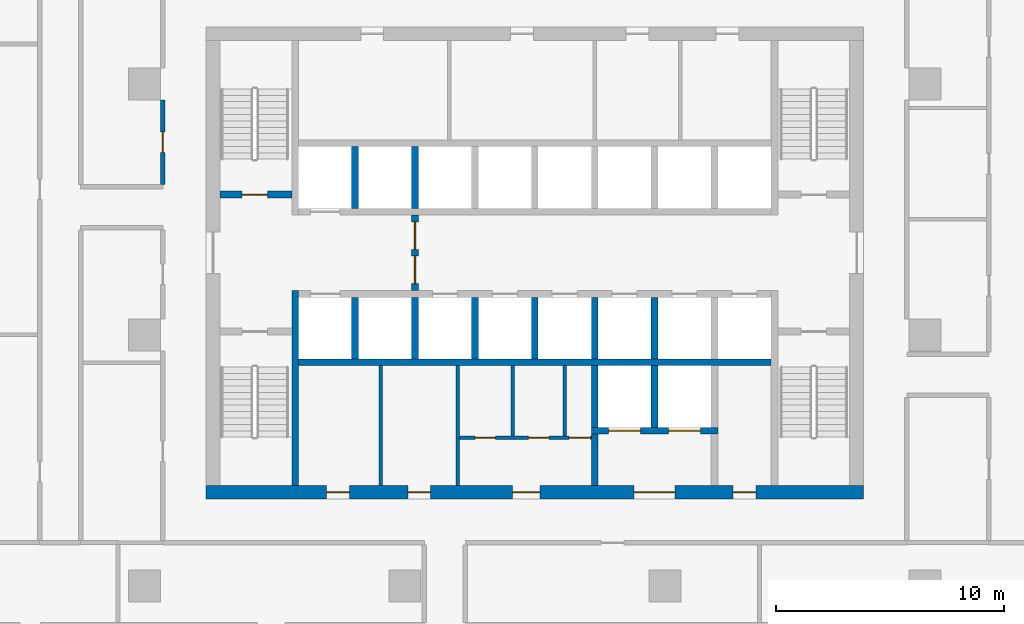
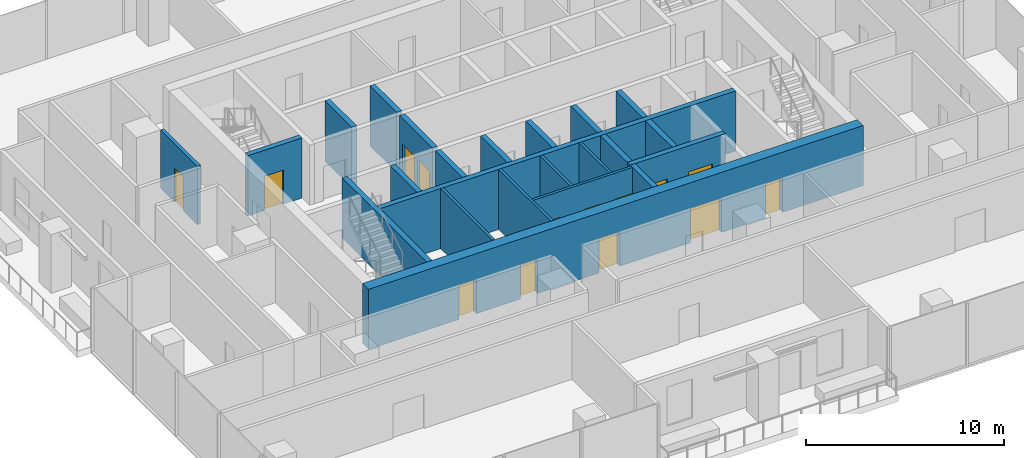
# One storey, part 8 of 15: 23 walls, 14 doors, 14 openings.
"""IFC4 building model written with IfcOpenShell, lengths in metres."""

from ifc_helpers import new_model, si_unit, direction, frame, frame_2d, origin, place, context, subcontext, project, spatial, rectangle, extrude, material, layer, layer_set, type_object, element, fill, save


model = new_model("IFC4")

# Units and contexts
model_context = context("Model", 3, precision=1e-05, world=origin(), true_north=direction((0.0, 1.0)))
body_context = subcontext(model_context, "Body", "Model", "MODEL_VIEW")
ifc_project = project(units=[si_unit("LENGTHUNIT", "METRE"), si_unit("AREAUNIT", "SQUARE_METRE"), si_unit("VOLUMEUNIT", "CUBIC_METRE"), si_unit("PLANEANGLEUNIT", "RADIAN"), si_unit("MASSUNIT", "GRAM", prefix="KILO")], contexts=[model_context])

# Site, building, storey
site_placement = place(None, origin())
site = spatial("IfcSite", under=ifc_project, at=site_placement, CompositionType="ELEMENT")
building_placement = place(site_placement, origin())
building = spatial("IfcBuilding", under=site, at=building_placement, Name="Mopane Tessera Tower", CompositionType="ELEMENT")
storey_placement = place(building_placement, frame((0.0, 0.0, 173.0)))
storey = spatial("IfcBuildingStorey", under=building, at=storey_placement, Name="L35", CompositionType="ELEMENT", Elevation=173.0)

# Walls
ifc_material_1 = material(Name="Fire-rated gypsum board partition")
ifc_layer_1 = layer(ifc_material_1, 0.14990234375)
ifc_layer_set_1 = layer_set([ifc_layer_1], Name="Fire-rated gypsum board partition")
wall_type_1 = type_object("IfcWallType", Name="Core room partition 150 mm", PredefinedType="PARTITIONING", material=ifc_layer_set_1)
for number, where, z_axis, x_axis, name in (
    (1, (-6.75, -6.60009765625, 0.0), (0.0, 0.0, 1.0), (0.0, 1.0, 0.0), "L35 Room partition"),
    (2, (-3.375, -6.60009765625, 0.0), (0.0, 0.0, 1.0), (0.0, 1.0, 0.0), "L35 Room partition"),
):
    element("IfcWall", number, at=place(storey_placement, frame(where, z_axis=z_axis, x_axis=x_axis)), inside=storey, type_object=wall_type_1, Name=name, PredefinedType="PARTITIONING", context=body_context, shape_type="SweptSolid", body=[
        extrude(rectangle(XDim=5.25, YDim=0.14990234375, at=frame_2d((2.625, 0.0))), origin(), (0.0, 0.0, 1.0), 3.699951171875),
    ])

# Wall, openings, doors
wall_1_placement = place(storey_placement, frame((-3.300048828125, -4.5, 0.0), z_axis=(0.0, 0.0, 1.0), x_axis=(1.0, 0.0, 0.0)))
wall_1 = element("IfcWall", 3, at=wall_1_placement, inside=storey, type_object=wall_type_1, Name="L35 WC partition", PredefinedType="PARTITIONING", context=body_context, shape_type="SweptSolid", body=[
    extrude(rectangle(XDim=5.775146484375, YDim=0.14990234375, at=frame_2d((2.8876953125, 0.0))), origin(), (0.0, 0.0, 1.0), 3.699951171875),
])
opening_1_placement = place(wall_1_placement, frame((0.675048828125, 0.0, 0.0)))
opening_1 = element("IfcOpeningElement", 4, at=opening_1_placement, cuts=wall_1, Name="Opening WD1", PredefinedType="OPENING", context=body_context, shape_type="SweptSolid", body=[
    extrude(rectangle(XDim=0.89990234375, YDim=2.10009765625, at=frame_2d((0.449951171875, 1.050048828125))), frame((0.0, 0.0869140625, 0.0), z_axis=(0.0, -1.0, 0.0), x_axis=(1.0, 0.0, 0.0)), (0.0, 0.0, 1.0), 0.173828125),
])
opening_2_placement = place(wall_1_placement, frame((3.014892578125, 0.0, 0.0)))
opening_2 = element("IfcOpeningElement", 5, at=opening_2_placement, cuts=wall_1, Name="Opening WD1", PredefinedType="OPENING", context=body_context, shape_type="SweptSolid", body=[
    extrude(rectangle(XDim=0.89990234375, YDim=2.10009765625, at=frame_2d((0.449951171875, 1.050048828125))), frame((0.0, 0.0869140625, 0.0), z_axis=(0.0, -1.0, 0.0), x_axis=(1.0, 0.0, 0.0)), (0.0, 0.0, 1.0), 0.173828125),
])
opening_3_placement = place(wall_1_placement, frame((4.7900390625, 0.0, 0.0)))
opening_3 = element("IfcOpeningElement", 6, at=opening_3_placement, cuts=wall_1, Name="Opening WD2", PredefinedType="OPENING", context=body_context, shape_type="SweptSolid", body=[
    extrude(rectangle(XDim=0.949951171875, YDim=2.10009765625, at=frame_2d((0.47509765625, 1.050048828125))), frame((0.0, 0.0869140625, 0.0), z_axis=(0.0, -1.0, 0.0), x_axis=(1.0, 0.0, 0.0)), (0.0, 0.0, 1.0), 0.173828125),
])
ifc_material_2 = material(Name="Timber door", Category="wood")
door_type_1 = type_object("IfcDoorType", Name="Accessible WC door 950 x 2100", OperationType="SINGLE_SWING_LEFT", PredefinedType="DOOR", material=ifc_material_2)
door_1_placement = place(opening_3_placement, origin())
door_1 = element("IfcDoor", 7, at=door_1_placement, inside=storey, type_object=door_type_1, Name="L35 Accessible WC door", OperationType="SINGLE_SWING_LEFT", OverallHeight=2.10009765625, OverallWidth=0.949951171875, PredefinedType="DOOR", context=body_context, shape_type="SweptSolid", body=[
    extrude(rectangle(XDim=0.949951171875, YDim=2.10009765625, at=frame_2d((0.47509765625, 1.050048828125))), frame((0.0, 0.02490234375, 0.0), z_axis=(0.0, -1.0, 0.0), x_axis=(1.0, 0.0, 0.0)), (0.0, 0.0, 1.0), 0.050048828125),
])
fill(opening_3, door_1)
ifc_material_3 = material(Name="Timber door", Category="wood")
door_type_2 = type_object("IfcDoorType", Name="WC cubicle door 900 x 2100", OperationType="SINGLE_SWING_LEFT", PredefinedType="DOOR", material=ifc_material_3)
door_2_placement = place(opening_1_placement, origin())
door_2 = element("IfcDoor", 8, at=door_2_placement, inside=storey, type_object=door_type_2, Name="L35 Men's WC door", OperationType="SINGLE_SWING_LEFT", OverallHeight=2.10009765625, OverallWidth=0.89990234375, PredefinedType="DOOR", context=body_context, shape_type="SweptSolid", body=[
    extrude(rectangle(XDim=0.89990234375, YDim=2.10009765625, at=frame_2d((0.449951171875, 1.050048828125))), frame((0.0, 0.02490234375, 0.0), z_axis=(0.0, -1.0, 0.0), x_axis=(1.0, 0.0, 0.0)), (0.0, 0.0, 1.0), 0.050048828125),
])
fill(opening_1, door_2)
door_3_placement = place(opening_2_placement, origin())
door_3 = element("IfcDoor", 9, at=door_3_placement, inside=storey, type_object=door_type_2, Name="L35 Women's WC door", OperationType="SINGLE_SWING_LEFT", OverallHeight=2.10009765625, OverallWidth=0.89990234375, PredefinedType="DOOR", context=body_context, shape_type="SweptSolid", body=[
    extrude(rectangle(XDim=0.89990234375, YDim=2.10009765625, at=frame_2d((0.449951171875, 1.050048828125))), frame((0.0, 0.02490234375, 0.0), z_axis=(0.0, -1.0, 0.0), x_axis=(1.0, 0.0, 0.0)), (0.0, 0.0, 1.0), 0.050048828125),
])
fill(opening_2, door_3)

# Walls
for number, where, z_axis, x_axis, name in (
    (10, (-0.97509765625, -4.425048828125, 0.0), (0.0, 0.0, 1.0), (0.0, 1.0, 0.0), "L35 WC partition"),
    (11, (1.304931640625, -4.425048828125, 0.0), (0.0, 0.0, 1.0), (0.0, 1.0, 0.0), "L35 WC partition"),
):
    element("IfcWall", number, at=place(storey_placement, frame(where, z_axis=z_axis, x_axis=x_axis)), inside=storey, type_object=wall_type_1, Name=name, PredefinedType="PARTITIONING", context=body_context, shape_type="SweptSolid", body=[
        extrude(rectangle(XDim=3.074951171875, YDim=0.14990234375, at=frame_2d((1.53759765625, 0.0))), origin(), (0.0, 0.0, 1.0), 3.699951171875),
    ])

# Wall, openings, doors
ifc_material_4 = material(Name="Concrete C70/85", Category="concrete")
ifc_layer_2 = layer(ifc_material_4, 0.60009765625)
ifc_layer_set_2 = layer_set([ifc_layer_2], Name="Concrete C70/85")
wall_type_2 = type_object("IfcWallType", Name="Core shear wall 600 mm", PredefinedType="SHEAR", material=ifc_layer_set_2)
wall_2_placement = place(storey_placement, frame((-14.39990234375, -6.89990234375, 0.0), z_axis=(0.0, 0.0, 1.0), x_axis=(1.0, 0.0, 0.0)))
wall_2 = element("IfcWall", 12, at=wall_2_placement, inside=storey, type_object=wall_type_2, Name="L35 Core wall south", PredefinedType="SHEAR", context=body_context, shape_type="SweptSolid", body=[
    extrude(rectangle(XDim=28.7998046875, YDim=0.60009765625, at=frame_2d((14.39990234375, 0.0))), origin(), (0.0, 0.0, 1.0), 3.699951171875),
])
opening_4_placement = place(wall_2_placement, frame((5.27490234375, 0.0, 0.0)))
opening_4 = element("IfcOpeningElement", 13, at=opening_4_placement, cuts=wall_2, Name="Opening RD1", PredefinedType="OPENING", context=body_context, shape_type="SweptSolid", body=[
    extrude(rectangle(XDim=1.0, YDim=2.10009765625, at=frame_2d((0.5, 1.050048828125))), frame((0.0, 0.31201171875, 0.0), z_axis=(0.0, -1.0, 0.0), x_axis=(1.0, 0.0, 0.0)), (0.0, 0.0, 1.0), 0.6240234375),
])
opening_5_placement = place(wall_2_placement, frame((8.83740234375, 0.0, 0.0)))
opening_5 = element("IfcOpeningElement", 14, at=opening_5_placement, cuts=wall_2, Name="Opening RD1", PredefinedType="OPENING", context=body_context, shape_type="SweptSolid", body=[
    extrude(rectangle(XDim=1.0, YDim=2.10009765625, at=frame_2d((0.5, 1.050048828125))), frame((0.0, 0.31201171875, 0.0), z_axis=(0.0, -1.0, 0.0), x_axis=(1.0, 0.0, 0.0)), (0.0, 0.0, 1.0), 0.6240234375),
])
opening_6_placement = place(wall_2_placement, frame((13.425048828125, 0.0, 0.0)))
opening_6 = element("IfcOpeningElement", 15, at=opening_6_placement, cuts=wall_2, Name="Opening WD3", PredefinedType="OPENING", context=body_context, shape_type="SweptSolid", body=[
    extrude(rectangle(XDim=1.199951171875, YDim=2.10009765625, at=frame_2d((0.60009765625, 1.050048828125))), frame((0.0, 0.31201171875, 0.0), z_axis=(0.0, -1.0, 0.0), x_axis=(1.0, 0.0, 0.0)), (0.0, 0.0, 1.0), 0.6240234375),
])
opening_7_placement = place(wall_2_placement, frame((18.75, 0.0, 0.0)))
opening_7 = element("IfcOpeningElement", 16, at=opening_7_placement, cuts=wall_2, Name="Opening SD2", PredefinedType="OPENING", context=body_context, shape_type="SweptSolid", body=[
    extrude(rectangle(XDim=1.800048828125, YDim=2.10009765625, at=frame_2d((0.89990234375, 1.050048828125))), frame((0.0, 0.31201171875, 0.0), z_axis=(0.0, -1.0, 0.0), x_axis=(1.0, 0.0, 0.0)), (0.0, 0.0, 1.0), 0.6240234375),
])
opening_8_placement = place(wall_2_placement, frame((23.08740234375, 0.0, 0.0)))
opening_8 = element("IfcOpeningElement", 17, at=opening_8_placement, cuts=wall_2, Name="Opening RD1", PredefinedType="OPENING", context=body_context, shape_type="SweptSolid", body=[
    extrude(rectangle(XDim=1.0, YDim=2.10009765625, at=frame_2d((0.5, 1.050048828125))), frame((0.0, 0.31201171875, 0.0), z_axis=(0.0, -1.0, 0.0), x_axis=(1.0, 0.0, 0.0)), (0.0, 0.0, 1.0), 0.6240234375),
])
ifc_material_5 = material(Name="Steel fire door", Category="steel")
door_type_3 = type_object("IfcDoorType", Name="Core entrance double door 1800 x 2100", OperationType="DOUBLE_DOOR_SINGLE_SWING", PredefinedType="DOOR", material=ifc_material_5)
door_4_placement = place(opening_7_placement, origin())
door_4 = element("IfcDoor", 18, at=door_4_placement, inside=storey, type_object=door_type_3, Name="L35 Service lobby door", OperationType="DOUBLE_DOOR_SINGLE_SWING", OverallHeight=2.10009765625, OverallWidth=1.800048828125, PredefinedType="DOOR", context=body_context, shape_type="SweptSolid", body=[
    extrude(rectangle(XDim=1.800048828125, YDim=2.10009765625, at=frame_2d((0.89990234375, 1.050048828125))), frame((0.0, 0.02490234375, 0.0), z_axis=(0.0, -1.0, 0.0), x_axis=(1.0, 0.0, 0.0)), (0.0, 0.0, 1.0), 0.050048828125),
])
fill(opening_7, door_4)
ifc_material_6 = material(Name="Timber door", Category="wood")
door_type_4 = type_object("IfcDoorType", Name="Core room door 1000 x 2100", OperationType="SINGLE_SWING_LEFT", PredefinedType="DOOR", material=ifc_material_6)
door_5_placement = place(opening_4_placement, origin())
door_5 = element("IfcDoor", 19, at=door_5_placement, inside=storey, type_object=door_type_4, Name="L35 Room door", OperationType="SINGLE_SWING_LEFT", OverallHeight=2.10009765625, OverallWidth=1.0, PredefinedType="DOOR", context=body_context, shape_type="SweptSolid", body=[
    extrude(rectangle(XDim=1.0, YDim=2.10009765625, at=frame_2d((0.5, 1.050048828125))), frame((0.0, 0.02490234375, 0.0), z_axis=(0.0, -1.0, 0.0), x_axis=(1.0, 0.0, 0.0)), (0.0, 0.0, 1.0), 0.050048828125),
])
fill(opening_4, door_5)
door_6_placement = place(opening_5_placement, origin())
door_6 = element("IfcDoor", 20, at=door_6_placement, inside=storey, type_object=door_type_4, Name="L35 Room door", OperationType="SINGLE_SWING_LEFT", OverallHeight=2.10009765625, OverallWidth=1.0, PredefinedType="DOOR", context=body_context, shape_type="SweptSolid", body=[
    extrude(rectangle(XDim=1.0, YDim=2.10009765625, at=frame_2d((0.5, 1.050048828125))), frame((0.0, 0.02490234375, 0.0), z_axis=(0.0, -1.0, 0.0), x_axis=(1.0, 0.0, 0.0)), (0.0, 0.0, 1.0), 0.050048828125),
])
fill(opening_5, door_6)
door_7_placement = place(opening_8_placement, origin())
door_7 = element("IfcDoor", 21, at=door_7_placement, inside=storey, type_object=door_type_4, Name="L35 Room door", OperationType="SINGLE_SWING_LEFT", OverallHeight=2.10009765625, OverallWidth=1.0, PredefinedType="DOOR", context=body_context, shape_type="SweptSolid", body=[
    extrude(rectangle(XDim=1.0, YDim=2.10009765625, at=frame_2d((0.5, 1.050048828125))), frame((0.0, 0.02490234375, 0.0), z_axis=(0.0, -1.0, 0.0), x_axis=(1.0, 0.0, 0.0)), (0.0, 0.0, 1.0), 0.050048828125),
])
fill(opening_8, door_7)
ifc_material_7 = material(Name="Timber door", Category="wood")
door_type_5 = type_object("IfcDoorType", Name="WC lobby door 1200 x 2100", OperationType="SINGLE_SWING_LEFT", PredefinedType="DOOR", material=ifc_material_7)
door_8_placement = place(opening_6_placement, origin())
door_8 = element("IfcDoor", 22, at=door_8_placement, inside=storey, type_object=door_type_5, Name="L35 WC lobby door", OperationType="SINGLE_SWING_LEFT", OverallHeight=2.10009765625, OverallWidth=1.199951171875, PredefinedType="DOOR", context=body_context, shape_type="SweptSolid", body=[
    extrude(rectangle(XDim=1.199951171875, YDim=2.10009765625, at=frame_2d((0.60009765625, 1.050048828125))), frame((0.0, 0.02490234375, 0.0), z_axis=(0.0, -1.0, 0.0), x_axis=(1.0, 0.0, 0.0)), (0.0, 0.0, 1.0), 0.050048828125),
])
fill(opening_6, door_8)

# Wall
ifc_material_8 = material(Name="Concrete C60/75", Category="concrete")
ifc_layer_3 = layer(ifc_material_8, 0.300048828125)
ifc_layer_set_3 = layer_set([ifc_layer_3], Name="Concrete C60/75")
wall_type_3 = type_object("IfcWallType", Name="Core spine wall 300 mm", PredefinedType="SHEAR", material=ifc_layer_set_3)
wall_3_placement = place(storey_placement, frame((-10.5, -6.60009765625, 0.0), z_axis=(0.0, 0.0, 1.0), x_axis=(0.0, 1.0, 0.0)))
element("IfcWall", 23, at=wall_3_placement, inside=storey, type_object=wall_type_3, Name="L35 Core spine wall", PredefinedType="SHEAR", context=body_context, shape_type="SweptSolid", body=[
    extrude(rectangle(XDim=8.550048828125, YDim=0.300048828125, at=frame_2d((4.27490234375, 0.0))), origin(), (0.0, 0.0, 1.0), 3.699951171875),
])

# Wall, opening, door
ifc_material_9 = material(Name="Gypsum board on steel studs, two layers each face, mineral wool infill", Category="steel")
ifc_layer_4 = layer(ifc_material_9, 0.199951171875)
ifc_layer_set_4 = layer_set([ifc_layer_4], Name="Gypsum board on steel studs, two layers each face, mineral wool infill")
wall_type_4 = type_object("IfcWallType", Name="Gypsum board corridor wall 200, rated EI 60", PredefinedType="PARTITIONING", material=ifc_layer_set_4)
wall_4_placement = place(storey_placement, frame((-16.300048828125, 6.60009765625, 0.0), z_axis=(0.0, 0.0, 1.0), x_axis=(0.0, 1.0, 0.0)))
wall_4 = element("IfcWall", 24, at=wall_4_placement, inside=storey, type_object=wall_type_4, Name="Partition L35:035", PredefinedType="PARTITIONING", context=body_context, shape_type="SweptSolid", body=[
    extrude(rectangle(XDim=3.699951171875, YDim=0.199951171875, at=frame_2d((1.85009765625, 0.0))), origin(), (0.0, 0.0, 1.0), 3.60009765625),
])
opening_9_placement = place(wall_4_placement, frame((1.39990234375, 0.0, 0.0)))
opening_9 = element("IfcOpeningElement", 25, at=opening_9_placement, cuts=wall_4, Name="Opening L35-13", PredefinedType="OPENING", context=body_context, shape_type="SweptSolid", body=[
    extrude(rectangle(XDim=0.89990234375, YDim=2.10009765625, at=frame_2d((0.449951171875, 1.050048828125))), frame((0.0, 0.112060546875, 0.0), z_axis=(0.0, -1.0, 0.0), x_axis=(1.0, 0.0, 0.0)), (0.0, 0.0, 1.0), 0.223876953125),
])
ifc_material_10 = material(Name="Timber veneered steel-framed fire door", Category="steel")
door_type_6 = type_object("IfcDoorType", Name="Fire door FD60 900 x 2100", OperationType="SINGLE_SWING_LEFT", PredefinedType="DOOR", material=ifc_material_10)
door_9_placement = place(opening_9_placement, origin())
door_9 = element("IfcDoor", 26, at=door_9_placement, inside=storey, type_object=door_type_6, Name="Door L35-13", ObjectType="D10A", OperationType="SINGLE_SWING_RIGHT", OverallHeight=2.10009765625, OverallWidth=0.89990234375, PredefinedType="DOOR", context=body_context, shape_type="SweptSolid", body=[
    extrude(rectangle(XDim=0.89990234375, YDim=2.10009765625, at=frame_2d((0.449951171875, 1.050048828125))), frame((0.0, 0.02490234375, 0.0), z_axis=(0.0, -1.0, 0.0), x_axis=(1.0, 0.0, 0.0)), (0.0, 0.0, 1.0), 0.050048828125),
])
fill(opening_9, door_9)

ifc_material_11 = material(Name="Concrete C50/60", Category="concrete")
ifc_layer_5 = layer(ifc_material_11, 0.300048828125)
ifc_layer_set_5 = layer_set([ifc_layer_5], Name="Concrete C50/60")
wall_type_5 = type_object("IfcWallType", Name="Lift and stair shaft wall 300 mm", PredefinedType="SOLIDWALL", material=ifc_layer_set_5)
wall_5_placement = place(storey_placement, frame((-13.800048828125, 6.14990234375, 0.0), z_axis=(0.0, 0.0, 1.0), x_axis=(1.0, 0.0, 0.0)))
wall_5 = element("IfcWall", 27, at=wall_5_placement, inside=storey, type_object=wall_type_5, Name="L35 Stair enclosure wall", PredefinedType="SOLIDWALL", context=body_context, shape_type="SweptSolid", body=[
    extrude(rectangle(XDim=3.150146484375, YDim=0.300048828125, at=frame_2d((1.5751953125, 0.0))), origin(), (0.0, 0.0, 1.0), 3.699951171875),
])
opening_10_placement = place(wall_5_placement, frame((0.97509765625, 0.0, 0.0)))
opening_10 = element("IfcOpeningElement", 28, at=opening_10_placement, cuts=wall_5, Name="Opening SD1", PredefinedType="OPENING", context=body_context, shape_type="SweptSolid", body=[
    extrude(rectangle(XDim=1.10009765625, YDim=2.10009765625, at=frame_2d((0.550048828125, 1.050048828125))), frame((0.0, 0.162109375, 0.0), z_axis=(0.0, -1.0, 0.0), x_axis=(1.0, 0.0, 0.0)), (0.0, 0.0, 1.0), 0.323974609375),
])
ifc_material_12 = material(Name="Steel fire door", Category="steel")
door_type_7 = type_object("IfcDoorType", Name="Stair fire door 1100 x 2100", OperationType="SINGLE_SWING_LEFT", PredefinedType="DOOR", material=ifc_material_12)
door_10_placement = place(opening_10_placement, origin())
door_10 = element("IfcDoor", 29, at=door_10_placement, inside=storey, type_object=door_type_7, Name="L35 Stair door ST2", OperationType="SINGLE_SWING_LEFT", OverallHeight=2.10009765625, OverallWidth=1.10009765625, PredefinedType="DOOR", context=body_context, shape_type="SweptSolid", body=[
    extrude(rectangle(XDim=1.10009765625, YDim=2.10009765625, at=frame_2d((0.550048828125, 1.050048828125))), frame((0.0, 0.02490234375, 0.0), z_axis=(0.0, -1.0, 0.0), x_axis=(1.0, 0.0, 0.0)), (0.0, 0.0, 1.0), 0.050048828125),
])
fill(opening_10, door_10)

# Walls
wall_6_placement = place(storey_placement, frame((-10.35009765625, -1.199951171875, 0.0), z_axis=(0.0, 0.0, 1.0), x_axis=(1.0, 0.0, 0.0)))
element("IfcWall", 30, at=wall_6_placement, inside=storey, type_object=wall_type_5, Name="L35 Lift shaft rear wall", PredefinedType="SOLIDWALL", context=body_context, shape_type="SweptSolid", body=[
    extrude(rectangle(XDim=20.7001953125, YDim=0.300048828125, at=frame_2d((10.35009765625, 0.0))), origin(), (0.0, 0.0, 1.0), 3.699951171875),
])
for number, where, z_axis, x_axis, name in (
    (31, (-7.875, -1.050048828125, 0.0), (0.0, 0.0, 1.0), (0.0, 1.0, 0.0), "L35 Lift shaft wall"),
    (32, (-5.25, -1.050048828125, 0.0), (0.0, 0.0, 1.0), (0.0, 1.0, 0.0), "L35 Lift shaft wall"),
    (33, (-2.625, -1.050048828125, 0.0), (0.0, 0.0, 1.0), (0.0, 1.0, 0.0), "L35 Lift shaft wall"),
    (34, (0.0, -1.050048828125, 0.0), (0.0, 0.0, 1.0), (0.0, 1.0, 0.0), "L35 Lift shaft wall"),
    (35, (2.625, -1.050048828125, 0.0), (0.0, 0.0, 1.0), (0.0, 1.0, 0.0), "L35 Lift shaft wall"),
    (36, (5.25, -1.050048828125, 0.0), (0.0, 0.0, 1.0), (0.0, 1.0, 0.0), "L35 Lift shaft wall"),
    (37, (-7.875, 5.550048828125, 0.0), (0.0, 0.0, 1.0), (0.0, 1.0, 0.0), "L35 Lift shaft wall"),
    (38, (-5.25, 5.550048828125, 0.0), (0.0, 0.0, 1.0), (0.0, 1.0, 0.0), "L35 Lift shaft wall"),
):
    element("IfcWall", number, at=place(storey_placement, frame(where, z_axis=z_axis, x_axis=x_axis)), inside=storey, type_object=wall_type_5, Name=name, PredefinedType="SOLIDWALL", context=body_context, shape_type="SweptSolid", body=[
        extrude(rectangle(XDim=2.699951171875, YDim=0.300048828125, at=frame_2d((1.35009765625, 0.0))), origin(), (0.0, 0.0, 1.0), 3.699951171875),
    ])

# Wall, openings, doors
wall_7_placement = place(storey_placement, frame((2.47509765625, -4.199951171875, 0.0), z_axis=(0.0, 0.0, 1.0), x_axis=(1.0, 0.0, 0.0)))
wall_7 = element("IfcWall", 39, at=wall_7_placement, inside=storey, type_object=wall_type_5, Name="L35 Lift shaft front wall", PredefinedType="SOLIDWALL", context=body_context, shape_type="SweptSolid", body=[
    extrude(rectangle(XDim=5.5498046875, YDim=0.300048828125, at=frame_2d((2.77490234375, 0.0))), origin(), (0.0, 0.0, 1.0), 3.699951171875),
])
opening_11_placement = place(wall_7_placement, frame((0.762451171875, 0.0, 0.0)))
opening_11 = element("IfcOpeningElement", 40, at=opening_11_placement, cuts=wall_7, Name="Opening LD3", PredefinedType="OPENING", context=body_context, shape_type="SweptSolid", body=[
    extrude(rectangle(XDim=1.39990234375, YDim=2.10009765625, at=frame_2d((0.699951171875, 1.050048828125))), frame((0.0, 0.162109375, 0.0), z_axis=(0.0, -1.0, 0.0), x_axis=(1.0, 0.0, 0.0)), (0.0, 0.0, 1.0), 0.323974609375),
])
opening_12_placement = place(wall_7_placement, frame((3.387451171875, 0.0, 0.0)))
opening_12 = element("IfcOpeningElement", 41, at=opening_12_placement, cuts=wall_7, Name="Opening LD3", PredefinedType="OPENING", context=body_context, shape_type="SweptSolid", body=[
    extrude(rectangle(XDim=1.39990234375, YDim=2.10009765625, at=frame_2d((0.699951171875, 1.050048828125))), frame((0.0, 0.162109375, 0.0), z_axis=(0.0, -1.0, 0.0), x_axis=(1.0, 0.0, 0.0)), (0.0, 0.0, 1.0), 0.323974609375),
])
ifc_material_13 = material(Name="Stainless steel sliding door", Category="steel")
door_type_8 = type_object("IfcDoorType", Name="Service lift landing door 1400 x 2100", OperationType="DOUBLE_DOOR_SLIDING", PredefinedType="DOOR", material=ifc_material_13)
door_11_placement = place(opening_11_placement, origin())
door_11 = element("IfcDoor", 42, at=door_11_placement, inside=storey, type_object=door_type_8, Name="L35 Lift landing door SV1", OperationType="DOUBLE_DOOR_SLIDING", OverallHeight=2.10009765625, OverallWidth=1.39990234375, PredefinedType="DOOR", context=body_context, shape_type="SweptSolid", body=[
    extrude(rectangle(XDim=1.39990234375, YDim=2.10009765625, at=frame_2d((0.699951171875, 1.050048828125))), frame((0.0, 0.02490234375, 0.0), z_axis=(0.0, -1.0, 0.0), x_axis=(1.0, 0.0, 0.0)), (0.0, 0.0, 1.0), 0.050048828125),
])
fill(opening_11, door_11)
door_12_placement = place(opening_12_placement, origin())
door_12 = element("IfcDoor", 43, at=door_12_placement, inside=storey, type_object=door_type_8, Name="L35 Lift landing door SV2", OperationType="DOUBLE_DOOR_SLIDING", OverallHeight=2.10009765625, OverallWidth=1.39990234375, PredefinedType="DOOR", context=body_context, shape_type="SweptSolid", body=[
    extrude(rectangle(XDim=1.39990234375, YDim=2.10009765625, at=frame_2d((0.699951171875, 1.050048828125))), frame((0.0, 0.02490234375, 0.0), z_axis=(0.0, -1.0, 0.0), x_axis=(1.0, 0.0, 0.0)), (0.0, 0.0, 1.0), 0.050048828125),
])
fill(opening_12, door_12)

# Walls
for number, where, z_axis, x_axis, name in (
    (44, (2.625, -4.050048828125, 0.0), (0.0, 0.0, 1.0), (0.0, 1.0, 0.0), "L35 Lift shaft wall"),
    (45, (5.25, -4.050048828125, 0.0), (0.0, 0.0, 1.0), (0.0, 1.0, 0.0), "L35 Lift shaft wall"),
):
    element("IfcWall", number, at=place(storey_placement, frame(where, z_axis=z_axis, x_axis=x_axis)), inside=storey, type_object=wall_type_5, Name=name, PredefinedType="SOLIDWALL", context=body_context, shape_type="SweptSolid", body=[
        extrude(rectangle(XDim=2.699951171875, YDim=0.300048828125, at=frame_2d((1.35009765625, 0.0))), origin(), (0.0, 0.0, 1.0), 3.699951171875),
    ])

# Wall, openings, doors
ifc_material_14 = material(Name="Concrete C50/60", Category="concrete")
ifc_layer_6 = layer(ifc_material_14, 0.300048828125)
ifc_layer_set_6 = layer_set([ifc_layer_6], Name="Concrete C50/60")
wall_type_6 = type_object("IfcWallType", Name="Lobby and refuge room wall 300 mm", PredefinedType="SOLIDWALL", material=ifc_layer_set_6)
wall_8_placement = place(storey_placement, frame((-5.25, 1.949951171875, 0.0), z_axis=(0.0, 0.0, 1.0), x_axis=(0.0, 1.0, 0.0)))
wall_8 = element("IfcWall", 46, at=wall_8_placement, inside=storey, type_object=wall_type_6, Name="L35 Fire-fighting lobby wall", PredefinedType="SOLIDWALL", context=body_context, shape_type="SweptSolid", body=[
    extrude(rectangle(XDim=3.300048828125, YDim=0.300048828125, at=frame_2d((1.64990234375, 0.0))), origin(), (0.0, 0.0, 1.0), 3.699951171875),
])
opening_13_placement = place(wall_8_placement, frame((0.300048828125, 0.0, 0.0)))
opening_13 = element("IfcOpeningElement", 47, at=opening_13_placement, cuts=wall_8, Name="Opening SD3", PredefinedType="OPENING", context=body_context, shape_type="SweptSolid", body=[
    extrude(rectangle(XDim=1.199951171875, YDim=2.10009765625, at=frame_2d((0.60009765625, 1.050048828125))), frame((0.0, 0.162109375, 0.0), z_axis=(0.0, -1.0, 0.0), x_axis=(1.0, 0.0, 0.0)), (0.0, 0.0, 1.0), 0.323974609375),
])
opening_14_placement = place(wall_8_placement, frame((1.800048828125, 0.0, 0.0)))
opening_14 = element("IfcOpeningElement", 48, at=opening_14_placement, cuts=wall_8, Name="Opening SD3", PredefinedType="OPENING", context=body_context, shape_type="SweptSolid", body=[
    extrude(rectangle(XDim=1.199951171875, YDim=2.10009765625, at=frame_2d((0.60009765625, 1.050048828125))), frame((0.0, 0.162109375, 0.0), z_axis=(0.0, -1.0, 0.0), x_axis=(1.0, 0.0, 0.0)), (0.0, 0.0, 1.0), 0.323974609375),
])
ifc_material_15 = material(Name="Steel fire door", Category="steel")
door_type_9 = type_object("IfcDoorType", Name="Lobby fire door 1200 x 2100", OperationType="SINGLE_SWING_LEFT", PredefinedType="DOOR", material=ifc_material_15)
door_13_placement = place(opening_13_placement, origin())
door_13 = element("IfcDoor", 49, at=door_13_placement, inside=storey, type_object=door_type_9, Name="L35 Fire-fighting lobby door", OperationType="SINGLE_SWING_LEFT", OverallHeight=2.10009765625, OverallWidth=1.199951171875, PredefinedType="DOOR", context=body_context, shape_type="SweptSolid", body=[
    extrude(rectangle(XDim=1.199951171875, YDim=2.10009765625, at=frame_2d((0.60009765625, 1.050048828125))), frame((0.0, 0.02490234375, 0.0), z_axis=(0.0, -1.0, 0.0), x_axis=(1.0, 0.0, 0.0)), (0.0, 0.0, 1.0), 0.050048828125),
])
fill(opening_13, door_13)
door_14_placement = place(opening_14_placement, origin())
door_14 = element("IfcDoor", 50, at=door_14_placement, inside=storey, type_object=door_type_9, Name="L35 Fire-fighting lobby door", OperationType="SINGLE_SWING_RIGHT", OverallHeight=2.10009765625, OverallWidth=1.199951171875, PredefinedType="DOOR", context=body_context, shape_type="SweptSolid", body=[
    extrude(rectangle(XDim=1.199951171875, YDim=2.10009765625, at=frame_2d((0.60009765625, 1.050048828125))), frame((0.0, 0.02490234375, 0.0), z_axis=(0.0, -1.0, 0.0), x_axis=(1.0, 0.0, 0.0)), (0.0, 0.0, 1.0), 0.050048828125),
])
fill(opening_14, door_14)

# Wall
wall_9_placement = place(storey_placement, frame((2.625, -6.60009765625, 0.0), z_axis=(0.0, 0.0, 1.0), x_axis=(0.0, 1.0, 0.0)))
element("IfcWall", 51, at=wall_9_placement, inside=storey, type_object=wall_type_6, Name="L35 Service lobby wall", PredefinedType="SOLIDWALL", context=body_context, shape_type="SweptSolid", body=[
    extrude(rectangle(XDim=2.25, YDim=0.300048828125, at=frame_2d((1.125, 0.0))), origin(), (0.0, 0.0, 1.0), 3.699951171875),
])

save(model, "model.ifc")
